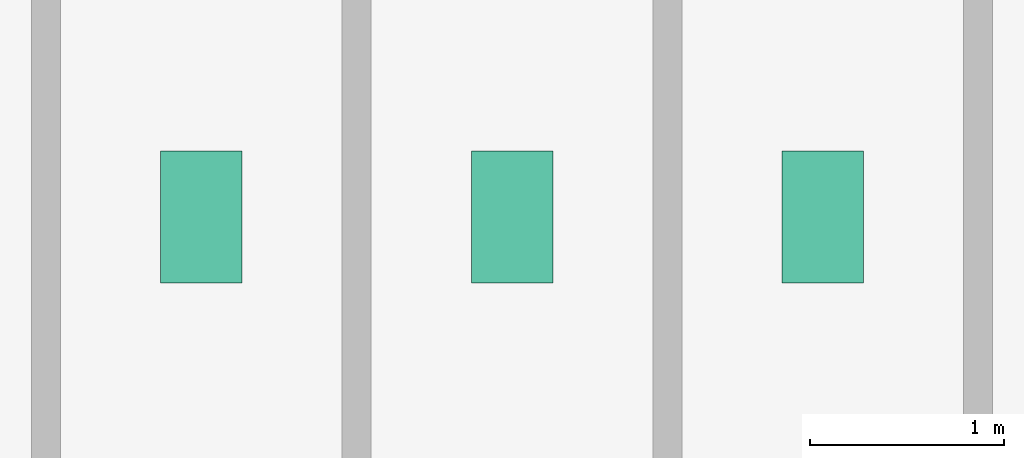
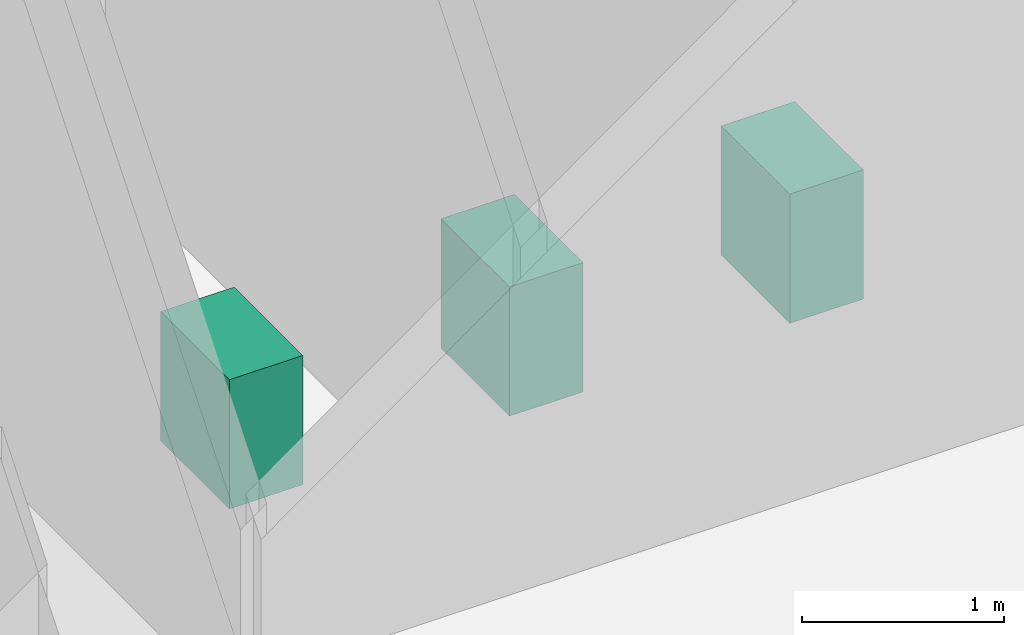
# One storey, part 25 of 25: 3 sanitary terminals.
"""IFC4 building model written with IfcOpenShell, lengths in metres."""

import ifcopenshell
import ifcopenshell.guid

model = None  # the IFC model being written
_history = None  # IfcOwnerHistory: only IFC2X3 demands one
_inside = {}  # id of a spatial element -> (the spatial element, [elements in it])
_under = {}  # id of a project, library or spatial element -> (it, [spatial elements below it])
_declared = {}  # id of a project -> (the project, [libraries it declares])
_typed = {}  # id of a type object -> (the type object, [elements of that type])
_made_of = {}  # id of a material, layer set ... -> (it, [elements and type objects made of it])


def new_model(schema):
    """Start an empty IFC model of exactly this schema.

    Asked for "IFC4X3", IfcOpenShell would pick the latest addendum, in which some entities
    have other attributes; the version numbers below select the first issue.
    IFC2X3 requires an IfcOwnerHistory on every rooted entity: one is made here for all.
    """
    global model, _history
    if schema == "IFC4X3":
        model = ifcopenshell.file(schema_version=(4, 3, 0, 0))
    else:
        model = ifcopenshell.file(schema=schema)
    _inside.clear()
    _under.clear()
    _declared.clear()
    _typed.clear()
    _made_of.clear()
    _history = None
    if model.schema == "IFC2X3":
        org = make("IfcOrganization", Name="unknown")
        user = make(
            "IfcPersonAndOrganization",
            ThePerson=make("IfcPerson", FamilyName="unknown"),
            TheOrganization=org,
        )
        app = make(
            "IfcApplication",
            ApplicationDeveloper=org,
            Version="unknown",
            ApplicationFullName="unknown",
            ApplicationIdentifier="unknown",
        )
        _history = make(
            "IfcOwnerHistory",
            OwningUser=user,
            OwningApplication=app,
            ChangeAction="ADDED",
            CreationDate=0,
        )
    return model


def make(cls, **values):
    """One entity of the class cls with the attributes given. An attribute that is None is left unset."""
    return model.create_entity(
        cls, **{name: value for name, value in values.items() if value is not None}
    )


def rooted(cls, **values):
    """An entity with a GlobalId (a new one), such as an element, a storey or a relation."""
    return make(cls, GlobalId=ifcopenshell.guid.new(), OwnerHistory=_history, **values)


def si_unit(unit_type, name, prefix=None):
    """IfcSIUnit, for example si_unit("LENGTHUNIT", "METRE", prefix="MILLI")."""
    return make("IfcSIUnit", UnitType=unit_type, Prefix=prefix, Name=name)


def derived_unit(unit_type, elements):
    """IfcDerivedUnit: a product of units, each with its exponent."""
    return make(
        "IfcDerivedUnit",
        Elements=[
            make("IfcDerivedUnitElement", Unit=unit, Exponent=power)
            for unit, power in elements
        ],
        UnitType=unit_type,
    )


def assignment(units):
    """IfcUnitAssignment: the units of a project."""
    return None if units is None else make("IfcUnitAssignment", Units=units)


def point(xyz):
    """IfcCartesianPoint."""
    return None if xyz is None else make("IfcCartesianPoint", Coordinates=xyz)


def direction(xyz):
    """IfcDirection."""
    return None if xyz is None else make("IfcDirection", DirectionRatios=xyz)


def frame(location, z_axis=None, x_axis=None):
    """IfcAxis2Placement3D, a coordinate frame: its origin and axes. An axis left out is left unset."""
    return make(
        "IfcAxis2Placement3D",
        Location=point(location),
        Axis=direction(z_axis),
        RefDirection=direction(x_axis),
    )


def frame_2d(location, x_axis=None):
    """IfcAxis2Placement2D, a coordinate frame in the plane: its origin and x axis."""
    return make(
        "IfcAxis2Placement2D", Location=point(location), RefDirection=direction(x_axis)
    )


def origin():
    """The frame at (0, 0, 0) with its axes left unset."""
    return frame((0.0, 0.0, 0.0))


def origin_2d():
    """The frame at (0, 0) in the plane with its x axis left unset."""
    return frame_2d((0.0, 0.0))


def place(relative_to, where):
    """IfcLocalPlacement: puts the frame where relative to a parent placement (None: the world)."""
    return make(
        "IfcLocalPlacement", PlacementRelTo=relative_to, RelativePlacement=where
    )


def context(
    kind, dimensions, precision=None, world=None, true_north=None, identifier=None
):
    """IfcGeometricRepresentationContext, for example the 3D "Model" context."""
    return make(
        "IfcGeometricRepresentationContext",
        ContextIdentifier=identifier,
        ContextType=kind,
        CoordinateSpaceDimension=dimensions,
        Precision=precision,
        WorldCoordinateSystem=world,
        TrueNorth=true_north,
    )


def subcontext(parent, identifier, kind, view, scale=None):
    """IfcGeometricRepresentationSubContext, for example "Body" below "Model"."""
    return make(
        "IfcGeometricRepresentationSubContext",
        ContextIdentifier=identifier,
        ContextType=kind,
        ParentContext=parent,
        TargetScale=scale,
        TargetView=view,
    )


def project(units=None, contexts=None):
    """IfcProject with its units and contexts."""
    return rooted(
        "IfcProject",
        Name="project",
        RepresentationContexts=contexts,
        UnitsInContext=assignment(units),
    )


def spatial(cls, under=None, at=None, **own):
    """A site, building, storey or space (cls), placed at a placement, below another one or the project."""
    s = rooted(cls, ObjectPlacement=at, **own)
    if under is not None:
        _under.setdefault(under.id(), (under, []))[1].append(s)
    return s


def profile(cls, at=None, kind="AREA", **sizes):
    """A parametric profile (cls). Its sizes go by their IFC names, for example OverallWidth=200.0."""
    return make(cls, ProfileType=kind, Position=at, **sizes)


def rectangle(**sizes):
    """IfcRectangleProfileDef."""
    return profile("IfcRectangleProfileDef", **sizes)


def extrude(swept, where, along, depth):
    """IfcExtrudedAreaSolid: the profile swept, set in the frame where, extruded along a direction by depth."""
    return make(
        "IfcExtrudedAreaSolid",
        SweptArea=swept,
        Position=where,
        ExtrudedDirection=direction(along),
        Depth=depth,
    )


def shape(context_of_items, identifier, shape_type, items):
    """IfcShapeRepresentation: the items that make up one representation, for example the "Body"."""
    return make(
        "IfcShapeRepresentation",
        ContextOfItems=context_of_items,
        RepresentationIdentifier=identifier,
        RepresentationType=shape_type,
        Items=items,
    )


def source(mapping_origin, context_of_items, identifier, shape_type, items):
    """IfcRepresentationMap: a shape defined once, which mapped items show again and again."""
    return make(
        "IfcRepresentationMap",
        MappingOrigin=mapping_origin,
        MappedRepresentation=shape(context_of_items, identifier, shape_type, items),
    )


def transform(
    local_origin,
    x_axis=None,
    y_axis=None,
    z_axis=None,
    scale=None,
    scale2=None,
    scale3=None,
    uniform=True,
):
    """IfcCartesianTransformationOperator3D, or its non-uniform kind. x_axis, y_axis, z_axis: its Axis1, 2, 3."""
    if uniform:
        return make(
            "IfcCartesianTransformationOperator3D",
            Axis1=direction(x_axis),
            Axis2=direction(y_axis),
            LocalOrigin=point(local_origin),
            Scale=scale,
            Axis3=direction(z_axis),
        )
    return make(
        "IfcCartesianTransformationOperator3DnonUniform",
        Axis1=direction(x_axis),
        Axis2=direction(y_axis),
        LocalOrigin=point(local_origin),
        Scale=scale,
        Axis3=direction(z_axis),
        Scale2=scale2,
        Scale3=scale3,
    )


def mapped(mapping_source, mapping_target):
    """IfcMappedItem: shows the shape of a source again, moved by a transform."""
    return make(
        "IfcMappedItem", MappingSource=mapping_source, MappingTarget=mapping_target
    )


def material(Name=None, Category=None):
    """IfcMaterial."""
    return make("IfcMaterial", Name=Name, Category=Category)


def made_of(thing, what):
    """Note that an element or type object is made of a material, layer set ...; save() writes the relation."""
    if what is not None:
        _made_of.setdefault(what.id(), (what, []))[1].append(thing)
    return thing


def type_object(cls, material=None, **own):
    """A type object (cls), such as IfcWallType, which elements share."""
    return made_of(rooted(cls, **own), material)


def element(
    cls,
    number,
    at=None,
    inside=None,
    cuts=None,
    type_object=None,
    material=None,
    context=None,
    identifier="Body",
    shape_type=None,
    held_by="IfcProductDefinitionShape",
    body=None,
    shapes=None,
    **own,
):
    """One element of the class cls, such as IfcWall. Its Tag is "e" and its number.

    at: its placement. inside: the storey or other place that contains it. cuts: it is an
    opening in that element (IfcRelVoidsElement). A single representation is given by context,
    identifier, shape_type and body (its items); several are given by shapes. held_by: the class
    of the entity that holds the representations. save() writes the other relations.
    """
    e = rooted(cls, Tag="e%d" % number, ObjectPlacement=at, **own)
    if body is not None:
        shapes = [shape(context, identifier, shape_type, body)]
    if shapes is not None:
        e.Representation = make(held_by, Representations=shapes)
    if inside is not None:
        _inside.setdefault(inside.id(), (inside, []))[1].append(e)
    if cuts is not None:
        rooted(
            "IfcRelVoidsElement", RelatingBuildingElement=cuts, RelatedOpeningElement=e
        )
    if type_object is not None:
        _typed.setdefault(type_object.id(), (type_object, []))[1].append(e)
    return made_of(e, material)


def aggregate(whole, parts):
    """IfcRelAggregates: a whole, such as a stair, and the parts it consists of."""
    return rooted("IfcRelAggregates", RelatingObject=whole, RelatedObjects=parts)


def save(model, path):
    """Write the relations noted so far, then the file.

    IfcRelAggregates (storeys below a building ...), IfcRelContainedInSpatialStructure (elements
    in a storey), IfcRelDefinesByType, IfcRelAssociatesMaterial and IfcRelDeclares: one each for
    every whole, place, type object, material and project.
    """
    for whole, parts in _under.values():
        aggregate(whole, parts)
    for where, things in _inside.values():
        rooted(
            "IfcRelContainedInSpatialStructure",
            RelatedElements=things,
            RelatingStructure=where,
        )
    for kind, things in _typed.values():
        rooted("IfcRelDefinesByType", RelatedObjects=things, RelatingType=kind)
    for what, things in _made_of.values():
        rooted("IfcRelAssociatesMaterial", RelatedObjects=things, RelatingMaterial=what)
    for by, libraries in _declared.values():
        rooted("IfcRelDeclares", RelatingContext=by, RelatedDefinitions=libraries)
    model.write(path)


model = new_model("IFC4")

# Units and contexts
model_context = context("Model", 3, precision=1e-05, world=origin(), true_north=direction((0.0, 1.0)))
body_context = subcontext(model_context, "Body", "Model", "MODEL_VIEW")
ifc_project = project(units=[si_unit("LENGTHUNIT", "METRE"), si_unit("AREAUNIT", "SQUARE_METRE"), si_unit("VOLUMEUNIT", "CUBIC_METRE"), si_unit("PLANEANGLEUNIT", "RADIAN"), si_unit("MASSUNIT", "GRAM", prefix="KILO"), derived_unit("THERMALTRANSMITTANCEUNIT", [(si_unit("POWERUNIT", "WATT"), 1), (si_unit("LENGTHUNIT", "METRE"), -2), (si_unit("THERMODYNAMICTEMPERATUREUNIT", "KELVIN"), -1)])], contexts=[model_context])

# Site, building, storey
site_placement = place(None, origin())
site = spatial("IfcSite", under=ifc_project, at=site_placement, CompositionType="ELEMENT")
building_placement = place(site_placement, origin())
building = spatial("IfcBuilding", under=site, at=building_placement, Name="Skarnbrae Concourse Arena and Tower", CompositionType="ELEMENT")
storey_placement = place(building_placement, frame((0.0, 0.0, 166.14990234375)))
storey = spatial("IfcBuildingStorey", under=building, at=storey_placement, Name="L42", CompositionType="ELEMENT", Elevation=166.14990234375)

# Sanitary terminals
ifc_material = material(Name="Vitreous china sanitaryware", Category="other")
sanitary_terminal_type = type_object("IfcSanitaryTerminalType", Name="SAN-WC-VITREOUS", PredefinedType="TOILETPAN", material=ifc_material)
shared_shape = source(origin(), body_context, "Body", "SweptSolid", [
    extrude(rectangle(XDim=0.419921875, YDim=0.679931640625, at=origin_2d()), origin(), (0.0, 0.0, 1.0), 0.780029296875),
])
for number, where, z_axis, x_axis, name in (
    (1, (35.0, 11.39990234375, 0.0), (0.0, 0.0, 1.0), (1.0, 0.0, 0.0), "L42 Washroom WC fixture 1"),
    (2, (36.60009765625, 11.39990234375, 0.0), (0.0, 0.0, 1.0), (1.0, 0.0, 0.0), "L42 Washroom WC fixture 2"),
    (3, (38.199951171875, 11.39990234375, 0.0), (0.0, 0.0, 1.0), (1.0, 0.0, 0.0), "L42 Washroom WC fixture 3"),
):
    element("IfcSanitaryTerminal", number, at=place(storey_placement, frame(where, z_axis=z_axis, x_axis=x_axis)), inside=storey, type_object=sanitary_terminal_type, Name=name, PredefinedType="TOILETPAN", context=body_context, shape_type="MappedRepresentation", body=[
        mapped(shared_shape, transform((0.0, 0.0, 0.0))),
    ])

save(model, "model.ifc")
